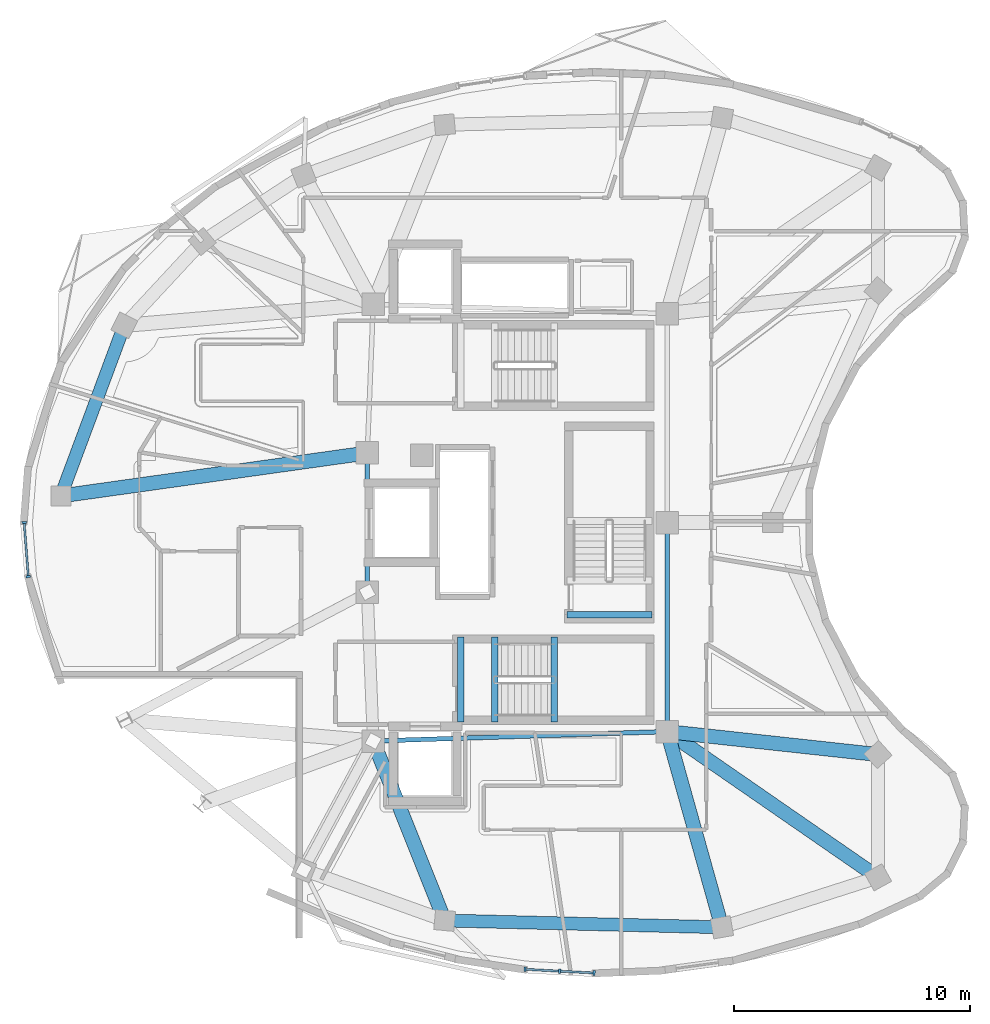
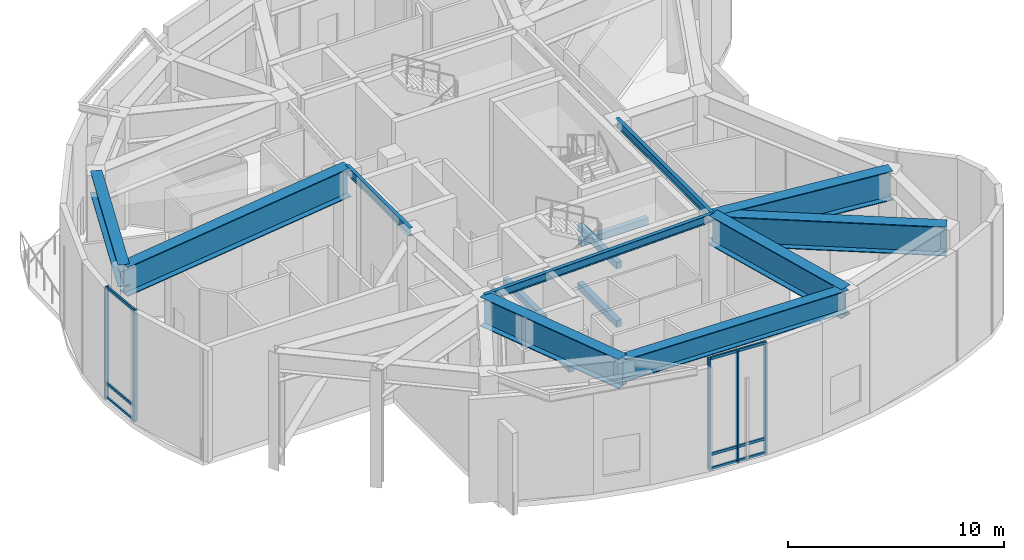
# One storey, part 2 of 12: 15 beams, 14 members, 2 elements without a shape of their own.
"""IFC4 building model written with IfcOpenShell, lengths in metres."""

from ifc_helpers import new_model, si_unit, direction, frame, origin, origin_2d, place, context, subcontext, project, spatial, rectangle, i_section, extrude, material, layer, layer_set, material_profile, profile_set, type_object, element, aggregate, save


model = new_model("IFC4")

# Units and contexts
model_context = context("Model", 3, precision=1e-05, world=origin(), true_north=direction((0.0, 1.0)))
body_context = subcontext(model_context, "Body", "Model", "MODEL_VIEW")
ifc_project = project(units=[si_unit("LENGTHUNIT", "METRE"), si_unit("AREAUNIT", "SQUARE_METRE"), si_unit("VOLUMEUNIT", "CUBIC_METRE"), si_unit("PLANEANGLEUNIT", "RADIAN"), si_unit("MASSUNIT", "GRAM", prefix="KILO")], contexts=[model_context])

# Site, building, storey
site_placement = place(None, origin())
site = spatial("IfcSite", under=ifc_project, at=site_placement, CompositionType="ELEMENT")
building_placement = place(site_placement, origin())
building = spatial("IfcBuilding", under=site, at=building_placement, Name="Korentha Bioscience Tower", CompositionType="ELEMENT")
storey_placement = place(building_placement, frame((0.0, 0.0, 291.0)))
storey = spatial("IfcBuildingStorey", under=building, at=storey_placement, Name="L67", CompositionType="ELEMENT", Elevation=291.0)

# Beams
ifc_material_1 = material(Name="Concrete C50", Category="concrete")
ifc_material_profile_1 = material_profile(ifc_material_1, rectangle(XDim=0.280029296875, YDim=0.3798828125, at=origin_2d()), Name="Concrete C50")
ifc_profile_set_1 = profile_set([ifc_material_profile_1], Name="Concrete C50 (ST-HB380)")
beam_type_1 = type_object("IfcBeamType", Name="Concrete Stair Header Beam RC 280x380", PredefinedType="BEAM", material=ifc_profile_set_1)
for number, where, z_axis, x_axis, name in (
    (1, (30.25, 18.550048828125, -0.18994140625), (0.0, 1.0, 0.0), (-1.0, 0.0, 0.0), "L67 ST-2 Concrete Stair Header Beam"),
    (2, (32.77001953125, 18.550048828125, 1.4599609375), (0.0, 1.0, 0.0), (-1.0, 0.0, 0.0), "L67 ST-2 Half-Landing Header Beam 1"),
    (3, (28.800048828125, 18.550048828125, 3.110107421875), (0.0, 1.0, 0.0), (-1.0, 0.0, 0.0), "L67 ST-2 Half-Landing Header Beam 2"),
    (4, (32.77001953125, 18.550048828125, 4.760009765625), (0.0, 1.0, 0.0), (-1.0, 0.0, 0.0), "L67 ST-2 Half-Landing Header Beam 3"),
    (5, (36.89990234375, 23.10009765625, 3.110107421875), (-1.0, 0.0, 0.0), (0.0, -1.0, 0.0), "L67 ST-3 Half-Landing Header Beam 2"),
):
    element("IfcBeam", number, at=place(storey_placement, frame(where, z_axis=z_axis, x_axis=x_axis)), inside=storey, type_object=beam_type_1, Name=name, PredefinedType="BEAM", context=body_context, shape_type="SweptSolid", body=[
        extrude(rectangle(XDim=0.280029296875, YDim=0.3798828125, at=origin_2d()), origin(), (0.0, 0.0, 1.0), 3.599853515625),
    ])
ifc_material_2 = material(Name="Steel S355", Category="steel")
ifc_material_profile_2 = material_profile(ifc_material_2, i_section(OverallWidth=0.550048828125, OverallDepth=1.25, WebThickness=0.02392578125, FlangeThickness=0.0400390625, at=origin_2d()), Name="Steel S355")
ifc_profile_set_2 = profile_set([ifc_material_profile_2], Name="Steel S355 (TG-03)")
beam_type_2 = type_object("IfcBeamType", Name="Crown Step Transfer Girder CVS 1250x510", PredefinedType="USERDEFINED", material=ifc_profile_set_2)
beam_1_placement = place(storey_placement, frame((14.556884765625, 35.35107421875, 5.675048828125), z_axis=(-0.348764777576, -0.937210291195, 0.0), x_axis=(0.937210291195, -0.348764777576, 0.0)))
element("IfcBeam", 6, at=beam_1_placement, inside=storey, type_object=beam_type_2, Name="L67 Perimeter Spandrel Girder 06", ObjectType="TRANSFER_GIRDER", PredefinedType="USERDEFINED", context=body_context, shape_type="SweptSolid", body=[
    extrude(i_section(OverallWidth=0.550048828125, OverallDepth=1.25, WebThickness=0.02392578125, FlangeThickness=0.0400390625, at=origin_2d()), origin(), (0.0, 0.0, 1.0), 7.705810546875),
])
beam_2_placement = place(storey_placement, frame((28.125732421875, 10.151123046875, 5.675048828125), z_axis=(0.999696680128, -0.024628189974, 0.0), x_axis=(0.024628189974, 0.999696680128, 0.0)))
element("IfcBeam", 7, at=beam_2_placement, inside=storey, type_object=beam_type_2, Name="L67 Perimeter Spandrel Girder 11", ObjectType="TRANSFER_GIRDER", PredefinedType="USERDEFINED", context=body_context, shape_type="SweptSolid", body=[
    extrude(i_section(OverallWidth=0.550048828125, OverallDepth=1.25, WebThickness=0.02392578125, FlangeThickness=0.0400390625, at=origin_2d()), origin(), (0.0, 0.0, 1.0), 11.7470703125),
])
ifc_material_profile_3 = material_profile(ifc_material_2, i_section(OverallWidth=0.60009765625, OverallDepth=1.64990234375, WebThickness=0.02587890625, FlangeThickness=0.0439453125, at=origin_2d()), Name="Steel S355")
ifc_profile_set_3 = profile_set([ifc_material_profile_3], Name="Steel S355 (TG-04)")
beam_type_3 = type_object("IfcBeamType", Name="Deep Setback Transfer Girder CVS 1650x620", PredefinedType="USERDEFINED", material=ifc_profile_set_3)
beam_3_placement = place(storey_placement, frame((24.85009765625, 29.949951171875, 5.47509765625), z_axis=(-0.990305038065, -0.138909796571, 0.0), x_axis=(0.138909796571, -0.990305038065, 0.0)))
element("IfcBeam", 8, at=beam_3_placement, inside=storey, type_object=beam_type_3, Name="L67 Radial Transfer Girder 07", ObjectType="TRANSFER_GIRDER", PredefinedType="USERDEFINED", context=body_context, shape_type="SweptSolid", body=[
    extrude(i_section(OverallWidth=0.60009765625, OverallDepth=1.64990234375, WebThickness=0.02587890625, FlangeThickness=0.0439453125, at=origin_2d()), origin(), (0.0, 0.0, 1.0), 13.10791015625),
])
beam_4_placement = place(storey_placement, frame((25.10009765625, 17.75, 5.47509765625), z_axis=(0.369923475736, -0.929062227248, 0.0), x_axis=(0.929062227248, 0.369923475736, 0.0)))
element("IfcBeam", 9, at=beam_4_placement, inside=storey, type_object=beam_type_3, Name="L67 Radial Transfer Girder 11", ObjectType="TRANSFER_GIRDER", PredefinedType="USERDEFINED", context=body_context, shape_type="SweptSolid", body=[
    extrude(i_section(OverallWidth=0.60009765625, OverallDepth=1.64990234375, WebThickness=0.02587890625, FlangeThickness=0.0439453125, at=origin_2d()), origin(), (0.0, 0.0, 1.0), 8.17919921875),
])
beam_5_placement = place(storey_placement, frame((37.550048828125, 18.14990234375, 5.47509765625), z_axis=(0.269460517512, -0.963011437888, 0.0), x_axis=(0.963011437888, 0.269460517512, 0.0)))
element("IfcBeam", 10, at=beam_5_placement, inside=storey, type_object=beam_type_3, Name="L67 Radial Transfer Girder 12", ObjectType="TRANSFER_GIRDER", PredefinedType="USERDEFINED", context=body_context, shape_type="SweptSolid", body=[
    extrude(i_section(OverallWidth=0.60009765625, OverallDepth=1.64990234375, WebThickness=0.02587890625, FlangeThickness=0.0439453125, at=origin_2d()), origin(), (0.0, 0.0, 1.0), 8.6064453125),
])
beam_6_placement = place(storey_placement, frame((37.550048828125, 18.14990234375, 5.47509765625), z_axis=(0.822499007629, -0.56876654477, 0.0), x_axis=(0.56876654477, 0.822499007629, 0.0)))
element("IfcBeam", 11, at=beam_6_placement, inside=storey, type_object=beam_type_3, Name="L67 Radial Transfer Girder 13", ObjectType="TRANSFER_GIRDER", PredefinedType="USERDEFINED", context=body_context, shape_type="SweptSolid", body=[
    extrude(i_section(OverallWidth=0.60009765625, OverallDepth=1.64990234375, WebThickness=0.02587890625, FlangeThickness=0.0439453125, at=origin_2d()), origin(), (0.0, 0.0, 1.0), 10.8525390625),
])
beam_7_placement = place(storey_placement, frame((37.550048828125, 18.14990234375, 5.47509765625), z_axis=(0.994116294337, -0.108318019432, 0.0), x_axis=(0.108318019432, 0.994116294337, 0.0)))
element("IfcBeam", 12, at=beam_7_placement, inside=storey, type_object=beam_type_3, Name="L67 Radial Transfer Girder 14", ObjectType="TRANSFER_GIRDER", PredefinedType="USERDEFINED", context=body_context, shape_type="SweptSolid", body=[
    extrude(i_section(OverallWidth=0.60009765625, OverallDepth=1.64990234375, WebThickness=0.02587890625, FlangeThickness=0.0439453125, at=origin_2d()), origin(), (0.0, 0.0, 1.0), 8.977294921875),
])
ifc_material_profile_4 = material_profile(ifc_material_2, i_section(OverallWidth=0.18994140625, OverallDepth=0.45703125, WebThickness=0.009033203125, FlangeThickness=0.014404296875, at=origin_2d()), Name="Steel S355")
ifc_profile_set_4 = profile_set([ifc_material_profile_4], Name="Steel S355 (MB-460)")
beam_type_4 = type_object("IfcBeamType", Name="Mid-Ring Tie Girder W460x74", PredefinedType="BEAM", material=ifc_profile_set_4)
beam_8_placement = place(storey_placement, frame((24.85009765625, 29.949951171875, 6.071533203125), z_axis=(0.0, -1.0, 0.0), x_axis=(1.0, 0.0, 0.0)))
element("IfcBeam", 13, at=beam_8_placement, inside=storey, type_object=beam_type_4, Name="L67 Core Ring Tie Girder 03", PredefinedType="BEAM", context=body_context, shape_type="SweptSolid", body=[
    extrude(i_section(OverallWidth=0.18994140625, OverallDepth=0.45703125, WebThickness=0.009033203125, FlangeThickness=0.014404296875, at=origin_2d()), origin(), (0.0, 0.0, 1.0), 5.89990234375),
])
beam_9_placement = place(storey_placement, frame((25.10009765625, 17.75, 6.071533203125), z_axis=(0.999484526071, 0.032104238723, 0.0), x_axis=(-0.032104238723, 0.999484526071, 0.0)))
element("IfcBeam", 14, at=beam_9_placement, inside=storey, type_object=beam_type_4, Name="L67 Core Ring Tie Girder 05", PredefinedType="BEAM", context=body_context, shape_type="SweptSolid", body=[
    extrude(i_section(OverallWidth=0.18994140625, OverallDepth=0.45703125, WebThickness=0.009033203125, FlangeThickness=0.014404296875, at=origin_2d()), origin(), (0.0, 0.0, 1.0), 12.456298828125),
])
beam_10_placement = place(storey_placement, frame((37.550048828125, 18.14990234375, 6.071533203125), z_axis=(0.0, 1.0, 0.0), x_axis=(-1.0, 0.0, 0.0)))
element("IfcBeam", 15, at=beam_10_placement, inside=storey, type_object=beam_type_4, Name="L67 Core Ring Tie Girder 06", PredefinedType="BEAM", context=body_context, shape_type="SweptSolid", body=[
    extrude(i_section(OverallWidth=0.18994140625, OverallDepth=0.45703125, WebThickness=0.009033203125, FlangeThickness=0.014404296875, at=origin_2d()), origin(), (0.0, 0.0, 1.0), 8.85009765625),
])

# Curtain wall, members
ifc_material_3 = material(Name="Thermally Broken Aluminium Frame", Category="aluminium")
ifc_layer = layer(ifc_material_3, 0.219970703125, Name="Thermally Broken Aluminium Frame")
ifc_layer_set = layer_set([ifc_layer], Name="Thermally Broken Aluminium Frame (CW-T1)")
curtain_wall_type = type_object("IfcCurtainWallType", Name="Standard Bioscience Lab Unitised Curtain Wall CW-T1", PredefinedType="USERDEFINED", material=ifc_layer_set)
curtain_wall_1_placement = place(storey_placement, origin())
curtain_wall_1 = element("IfcCurtainWall", 16, at=curtain_wall_1_placement, inside=storey, type_object=curtain_wall_type, Name="L67 Curtain Wall 19", ObjectType="UNITISED", PredefinedType="USERDEFINED")
ifc_material_4 = material(Name="Anodised Aluminium 6063-T6", Category="aluminium")
ifc_material_profile_5 = material_profile(ifc_material_4, rectangle(XDim=0.090087890625, YDim=0.199951171875, at=origin_2d()), Name="Anodised Aluminium 6063-T6")
ifc_profile_set_5 = profile_set([ifc_material_profile_5], Name="Anodised Aluminium 6063-T6 (CW-MUL)")
member_type_1 = type_object("IfcMemberType", Name="Mullion RECT 90x200", PredefinedType="MULLION", material=ifc_profile_set_5)
member_1_placement = place(storey_placement, frame((10.31787109375, 27.007080078125, 0.0), z_axis=(0.0, 0.0, 1.0), x_axis=(0.076447323916, -0.997073621487, 0.0)))
member_1 = element("IfcMember", 17, at=member_1_placement, type_object=member_type_1, Name="CW-L67-19 Mullion 1", PredefinedType="MULLION", context=body_context, shape_type="SweptSolid", body=[
    extrude(rectangle(XDim=0.090087890625, YDim=0.199951171875, at=origin_2d()), origin(), (0.0, 0.0, 1.0), 6.300048828125),
])
member_2_placement = place(storey_placement, frame((10.493896484375, 24.710205078125, 0.0), z_axis=(0.0, 0.0, 1.0), x_axis=(0.076447323916, -0.997073621487, 0.0)))
member_2 = element("IfcMember", 18, at=member_2_placement, type_object=member_type_1, Name="CW-L67-19 Mullion 2", PredefinedType="MULLION", context=body_context, shape_type="SweptSolid", body=[
    extrude(rectangle(XDim=0.090087890625, YDim=0.199951171875, at=origin_2d()), origin(), (0.0, 0.0, 1.0), 6.300048828125),
])

curtain_wall_2_placement = place(storey_placement, origin())
curtain_wall_2 = element("IfcCurtainWall", 19, at=curtain_wall_2_placement, inside=storey, type_object=curtain_wall_type, Name="L67 Curtain Wall 31", ObjectType="UNITISED", PredefinedType="USERDEFINED")
member_3_placement = place(storey_placement, frame((31.531982421875, 8.082763671875, 0.0), z_axis=(0.0, 0.0, 1.0), x_axis=(0.998579324855, -0.053285382345, 0.0)))
member_3 = element("IfcMember", 20, at=member_3_placement, type_object=member_type_1, Name="CW-L67-31 Mullion 1", PredefinedType="MULLION", context=body_context, shape_type="SweptSolid", body=[
    extrude(rectangle(XDim=0.090087890625, YDim=0.199951171875, at=origin_2d()), origin(), (0.0, 0.0, 1.0), 6.300048828125),
])
member_4_placement = place(storey_placement, frame((32.994873046875, 8.004638671875, 0.0), z_axis=(0.0, 0.0, 1.0), x_axis=(0.998579324855, -0.053285382345, 0.0)))
member_4 = element("IfcMember", 21, at=member_4_placement, type_object=member_type_1, Name="CW-L67-31 Mullion 2", PredefinedType="MULLION", context=body_context, shape_type="SweptSolid", body=[
    extrude(rectangle(XDim=0.090087890625, YDim=0.199951171875, at=origin_2d()), origin(), (0.0, 0.0, 1.0), 6.300048828125),
])
member_5_placement = place(storey_placement, frame((34.45751953125, 7.9267578125, 0.0), z_axis=(0.0, 0.0, 1.0), x_axis=(0.998579324855, -0.053285382345, 0.0)))
member_5 = element("IfcMember", 22, at=member_5_placement, type_object=member_type_1, Name="CW-L67-31 Mullion 3", PredefinedType="MULLION", context=body_context, shape_type="SweptSolid", body=[
    extrude(rectangle(XDim=0.090087890625, YDim=0.199951171875, at=origin_2d()), origin(), (0.0, 0.0, 1.0), 6.300048828125),
])

# Member
ifc_material_profile_6 = material_profile(ifc_material_4, rectangle(XDim=0.090087890625, YDim=0.159912109375, at=origin_2d()), Name="Anodised Aluminium 6063-T6")
ifc_profile_set_6 = profile_set([ifc_material_profile_6], Name="Anodised Aluminium 6063-T6 (CW-TRN)")
member_type_2 = type_object("IfcMemberType", Name="Transom RECT 90x160", PredefinedType="USERDEFINED", material=ifc_profile_set_6)
member_6_placement = place(storey_placement, frame((10.3212890625, 26.96240234375, 0.044921875), z_axis=(0.076418222259, -0.997075852334, 0.0), x_axis=(0.997075852334, 0.076418222259, 0.0)))
member_6 = element("IfcMember", 23, at=member_6_placement, type_object=member_type_2, Name="CW-L67-19 Bay 1 Transom 1", ObjectType="TRANSOM", PredefinedType="USERDEFINED", context=body_context, shape_type="SweptSolid", body=[
    extrude(rectangle(XDim=0.090087890625, YDim=0.159912109375, at=origin_2d()), origin(), (0.0, 0.0, 1.0), 2.214111328125),
])

member_7_placement = place(storey_placement, frame((10.3212890625, 26.96240234375, 0.85009765625), z_axis=(0.076418222259, -0.997075852334, 0.0), x_axis=(0.997075852334, 0.076418222259, 0.0)))
member_7 = element("IfcMember", 24, at=member_7_placement, type_object=member_type_2, Name="CW-L67-19 Bay 1 Transom 2", ObjectType="TRANSOM", PredefinedType="USERDEFINED", context=body_context, shape_type="SweptSolid", body=[
    extrude(rectangle(XDim=0.090087890625, YDim=0.159912109375, at=origin_2d()), origin(), (0.0, 0.0, 1.0), 2.214111328125),
])

member_8_placement = place(storey_placement, frame((10.3212890625, 26.96240234375, 6.2548828125), z_axis=(0.076418222259, -0.997075852334, 0.0), x_axis=(0.997075852334, 0.076418222259, 0.0)))
member_8 = element("IfcMember", 25, at=member_8_placement, type_object=member_type_2, Name="CW-L67-19 Bay 1 Transom 3", ObjectType="TRANSOM", PredefinedType="USERDEFINED", context=body_context, shape_type="SweptSolid", body=[
    extrude(rectangle(XDim=0.090087890625, YDim=0.159912109375, at=origin_2d()), origin(), (0.0, 0.0, 1.0), 2.214111328125),
])

aggregate(curtain_wall_1, [member_1, member_2, member_6, member_7, member_8])

member_9_placement = place(storey_placement, frame((31.5771484375, 8.080322265625, 0.044921875), z_axis=(0.998579797084, -0.053276531945, 0.0), x_axis=(0.053276531945, 0.998579797084, 0.0)))
member_9 = element("IfcMember", 26, at=member_9_placement, type_object=member_type_2, Name="CW-L67-31 Bay 1 Transom 1", ObjectType="TRANSOM", PredefinedType="USERDEFINED", context=body_context, shape_type="SweptSolid", body=[
    extrude(rectangle(XDim=0.090087890625, YDim=0.159912109375, at=origin_2d()), origin(), (0.0, 0.0, 1.0), 1.374755859375),
])

member_10_placement = place(storey_placement, frame((31.5771484375, 8.080322265625, 0.85009765625), z_axis=(0.998579797084, -0.053276531945, 0.0), x_axis=(0.053276531945, 0.998579797084, 0.0)))
member_10 = element("IfcMember", 27, at=member_10_placement, type_object=member_type_2, Name="CW-L67-31 Bay 1 Transom 2", ObjectType="TRANSOM", PredefinedType="USERDEFINED", context=body_context, shape_type="SweptSolid", body=[
    extrude(rectangle(XDim=0.090087890625, YDim=0.159912109375, at=origin_2d()), origin(), (0.0, 0.0, 1.0), 1.374755859375),
])

member_11_placement = place(storey_placement, frame((31.5771484375, 8.080322265625, 6.2548828125), z_axis=(0.998579797084, -0.053276531945, 0.0), x_axis=(0.053276531945, 0.998579797084, 0.0)))
member_11 = element("IfcMember", 28, at=member_11_placement, type_object=member_type_2, Name="CW-L67-31 Bay 1 Transom 3", ObjectType="TRANSOM", PredefinedType="USERDEFINED", context=body_context, shape_type="SweptSolid", body=[
    extrude(rectangle(XDim=0.090087890625, YDim=0.159912109375, at=origin_2d()), origin(), (0.0, 0.0, 1.0), 1.374755859375),
])

member_12_placement = place(storey_placement, frame((33.039794921875, 8.00244140625, 0.044921875), z_axis=(0.998579797084, -0.053276531945, 0.0), x_axis=(0.053276531945, 0.998579797084, 0.0)))
member_12 = element("IfcMember", 29, at=member_12_placement, type_object=member_type_2, Name="CW-L67-31 Bay 2 Transom 1", ObjectType="TRANSOM", PredefinedType="USERDEFINED", context=body_context, shape_type="SweptSolid", body=[
    extrude(rectangle(XDim=0.090087890625, YDim=0.159912109375, at=origin_2d()), origin(), (0.0, 0.0, 1.0), 1.374755859375),
])

member_13_placement = place(storey_placement, frame((33.039794921875, 8.00244140625, 0.85009765625), z_axis=(0.998579797084, -0.053276531945, 0.0), x_axis=(0.053276531945, 0.998579797084, 0.0)))
member_13 = element("IfcMember", 30, at=member_13_placement, type_object=member_type_2, Name="CW-L67-31 Bay 2 Transom 2", ObjectType="TRANSOM", PredefinedType="USERDEFINED", context=body_context, shape_type="SweptSolid", body=[
    extrude(rectangle(XDim=0.090087890625, YDim=0.159912109375, at=origin_2d()), origin(), (0.0, 0.0, 1.0), 1.374755859375),
])

member_14_placement = place(storey_placement, frame((33.039794921875, 8.00244140625, 6.2548828125), z_axis=(0.998579797084, -0.053276531945, 0.0), x_axis=(0.053276531945, 0.998579797084, 0.0)))
member_14 = element("IfcMember", 31, at=member_14_placement, type_object=member_type_2, Name="CW-L67-31 Bay 2 Transom 3", ObjectType="TRANSOM", PredefinedType="USERDEFINED", context=body_context, shape_type="SweptSolid", body=[
    extrude(rectangle(XDim=0.090087890625, YDim=0.159912109375, at=origin_2d()), origin(), (0.0, 0.0, 1.0), 1.374755859375),
])

aggregate(curtain_wall_2, [member_3, member_4, member_5, member_9, member_10, member_11, member_12, member_13, member_14])

save(model, "model.ifc")
